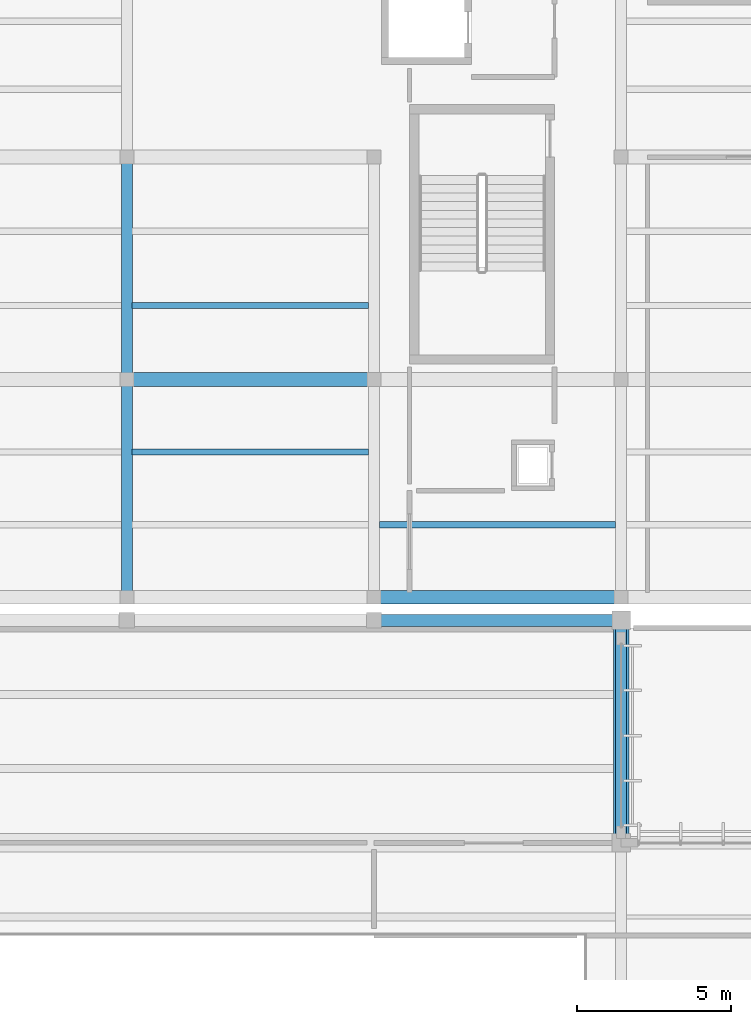
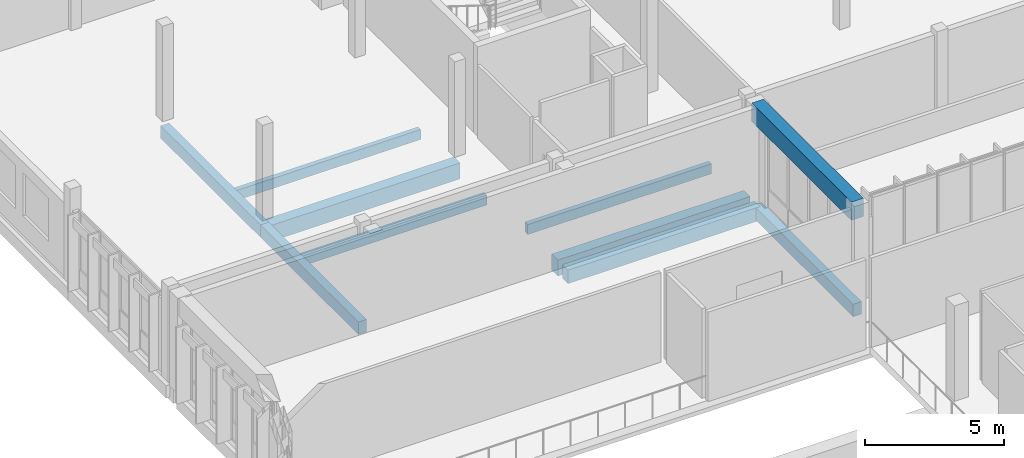
# One storey, part 36 of 182: 10 beams.
"""IFC4 building model written with IfcOpenShell, lengths in metres."""

from ifc_helpers import new_model, si_unit, direction, frame, origin, origin_2d, place, context, subcontext, project, spatial, rectangle, extrude, material, material_profile, profile_set, type_object, element, save


model = new_model("IFC4")

# Units and contexts
model_context = context("Model", 3, precision=1e-05, world=origin(), true_north=direction((0.0, 1.0)))
body_context = subcontext(model_context, "Body", "Model", "MODEL_VIEW")
ifc_project = project(units=[si_unit("LENGTHUNIT", "METRE"), si_unit("AREAUNIT", "SQUARE_METRE"), si_unit("VOLUMEUNIT", "CUBIC_METRE"), si_unit("PLANEANGLEUNIT", "RADIAN"), si_unit("MASSUNIT", "GRAM", prefix="KILO")], contexts=[model_context])

# Site, building, storey
site_placement = place(None, origin())
site = spatial("IfcSite", under=ifc_project, at=site_placement, CompositionType="ELEMENT")
building_placement = place(site_placement, origin())
building = spatial("IfcBuilding", under=site, at=building_placement, Name="Chiffa Square Polytechnic", CompositionType="ELEMENT")
storey_placement = place(building_placement, frame((0.0, 0.0, 9.60009765625)))
storey = spatial("IfcBuildingStorey", under=building, at=storey_placement, Name="L02", CompositionType="ELEMENT", Elevation=9.60009765625)

# Beams
ifc_material_1 = material(Name="Concrete C35/45", Category="concrete")
ifc_material_profile_1 = material_profile(ifc_material_1, rectangle(XDim=0.35009765625, YDim=0.550048828125, at=origin_2d()), Name="RC 350x550")
ifc_profile_set_1 = profile_set([ifc_material_profile_1], Name="Concrete C35/45")
beam_type_1 = type_object("IfcBeamType", Name="BM-RC-350X550", PredefinedType="BEAM", material=ifc_profile_set_1)
beam_1_placement = place(storey_placement, frame((24.0, 28.800048828125, -0.59521484375), z_axis=(0.0, 1.0, 0.0), x_axis=(-1.0, 0.0, 0.0)))
element("IfcBeam", 1, at=beam_1_placement, inside=storey, type_object=beam_type_1, Name="Primary floor girder BM-V3-L02-Y-0240-0288", PredefinedType="BEAM", context=body_context, shape_type="SweptSolid", body=[
    extrude(rectangle(XDim=0.35009765625, YDim=0.550048828125, at=origin_2d()), origin(), (0.0, 0.0, 1.0), 7.199951171875),
])
beam_2_placement = place(storey_placement, frame((8.0, 36.75, -0.59521484375), z_axis=(0.0, 1.0, 0.0), x_axis=(-1.0, 0.0, 0.0)))
element("IfcBeam", 2, at=beam_2_placement, inside=storey, type_object=beam_type_1, Name="Primary floor girder BM-V6-L02-Y-0080-0368", PredefinedType="BEAM", context=body_context, shape_type="SweptSolid", body=[
    extrude(rectangle(XDim=0.35009765625, YDim=0.550048828125, at=origin_2d()), origin(), (0.0, 0.0, 1.0), 7.050048828125),
])
beam_3_placement = place(storey_placement, frame((8.0, 43.800048828125, -0.59521484375), z_axis=(0.0, 1.0, 0.0), x_axis=(-1.0, 0.0, 0.0)))
element("IfcBeam", 3, at=beam_3_placement, inside=storey, type_object=beam_type_1, Name="Primary floor girder BM-V6-L02-Y-0080-0438", PredefinedType="BEAM", context=body_context, shape_type="SweptSolid", body=[
    extrude(rectangle(XDim=0.35009765625, YDim=0.550048828125, at=origin_2d()), origin(), (0.0, 0.0, 1.0), 7.199951171875),
])
ifc_material_profile_2 = material_profile(ifc_material_1, rectangle(XDim=0.39990234375, YDim=0.60009765625, at=origin_2d()), Name="RC 400x600")
ifc_profile_set_2 = profile_set([ifc_material_profile_2], Name="Concrete C35/45")
beam_type_2 = type_object("IfcBeamType", Name="BM-RC-400X600", PredefinedType="BEAM", material=ifc_profile_set_2)
beam_4_placement = place(storey_placement, frame((16.0, 36.0, -0.6201171875), z_axis=(1.0, 0.0, 0.0), x_axis=(0.0, 1.0, 0.0)))
element("IfcBeam", 4, at=beam_4_placement, inside=storey, type_object=beam_type_2, Name="Primary floor girder BM-V3-L02-X-0160-0360", PredefinedType="BEAM", context=body_context, shape_type="SweptSolid", body=[
    extrude(rectangle(XDim=0.39990234375, YDim=0.60009765625, at=origin_2d()), origin(), (0.0, 0.0, 1.0), 8.0),
])
ifc_material_profile_3 = material_profile(ifc_material_1, rectangle(XDim=0.449951171875, YDim=0.699951171875, at=origin_2d()), Name="RC 450x700")
ifc_profile_set_3 = profile_set([ifc_material_profile_3], Name="Concrete C35/45")
beam_type_3 = type_object("IfcBeamType", Name="BM-RC-450X700", PredefinedType="BEAM", material=ifc_profile_set_3)
for number, where, z_axis, x_axis, name in (
    (5, (16.0, 36.75, -0.670166015625), (1.0, 0.0, 0.0), (0.0, 1.0, 0.0), "Primary floor girder BM-V6-L02-X-0160-0368"),
    (6, (8.0, 43.800048828125, -0.670166015625), (1.0, 0.0, 0.0), (0.0, 1.0, 0.0), "Primary floor girder BM-V6-L02-X-0080-0438"),
):
    element("IfcBeam", number, at=place(storey_placement, frame(where, z_axis=z_axis, x_axis=x_axis)), inside=storey, type_object=beam_type_3, Name=name, PredefinedType="BEAM", context=body_context, shape_type="SweptSolid", body=[
        extrude(rectangle(XDim=0.449951171875, YDim=0.699951171875, at=origin_2d()), origin(), (0.0, 0.0, 1.0), 8.0),
    ])
ifc_material_2 = material(Name="Concrete C40/50", Category="concrete")
ifc_material_profile_4 = material_profile(ifc_material_2, rectangle(XDim=0.5, YDim=0.800048828125, at=origin_2d()), Name="RC 500x800")
ifc_profile_set_4 = profile_set([ifc_material_profile_4], Name="Concrete C40/50")
beam_type_4 = type_object("IfcBeamType", Name="BM-RC-500X800", PredefinedType="BEAM", material=ifc_profile_set_4)
beam_5_placement = place(storey_placement, frame((24.0, 28.800048828125, 3.7998046875), z_axis=(0.0, 1.0, 0.0), x_axis=(-1.0, 0.0, 0.0)))
element("IfcBeam", 7, at=beam_5_placement, inside=storey, type_object=beam_type_4, Name="Lecture ridge step ring beam BM-V3-EAVTIE-M5", PredefinedType="BEAM", context=body_context, shape_type="SweptSolid", body=[
    extrude(rectangle(XDim=0.5, YDim=0.800048828125, at=origin_2d()), origin(), (0.0, 0.0, 1.0), 7.199951171875),
])
ifc_material_3 = material(Name="Glulam GL28h", Category="wood")
ifc_material_profile_5 = material_profile(ifc_material_3, rectangle(XDim=0.199951171875, YDim=0.43994140625, at=origin_2d()), Name="GL28h 200x440")
ifc_profile_set_5 = profile_set([ifc_material_profile_5], Name="Glulam GL28h")
beam_type_5 = type_object("IfcBeamType", Name="JST-GL-200X440", PredefinedType="JOIST", material=ifc_profile_set_5)
for number, where, z_axis, x_axis, name in (
    (8, (8.173095703125, 41.449951171875, -0.5400390625), (1.0, 0.0, 0.0), (0.0, 1.0, 0.0), "Secondary floor joist JST-V6-L02-0080-0414"),
    (9, (8.173095703125, 46.199951171875, -0.5400390625), (1.0, 0.0, 0.0), (0.0, 1.0, 0.0), "Secondary floor joist JST-V6-L02-0080-0462"),
    (10, (16.173095703125, 39.10009765625, -0.5400390625), (1.0, 0.0, 0.0), (0.0, 1.0, 0.0), "Secondary floor joist JST-V6-L02-0160-0391"),
):
    element("IfcBeam", number, at=place(storey_placement, frame(where, z_axis=z_axis, x_axis=x_axis)), inside=storey, type_object=beam_type_5, Name=name, PredefinedType="JOIST", context=body_context, shape_type="SweptSolid", body=[
        extrude(rectangle(XDim=0.199951171875, YDim=0.43994140625, at=origin_2d()), origin(), (0.0, 0.0, 1.0), 7.65380859375),
    ])

save(model, "model.ifc")
